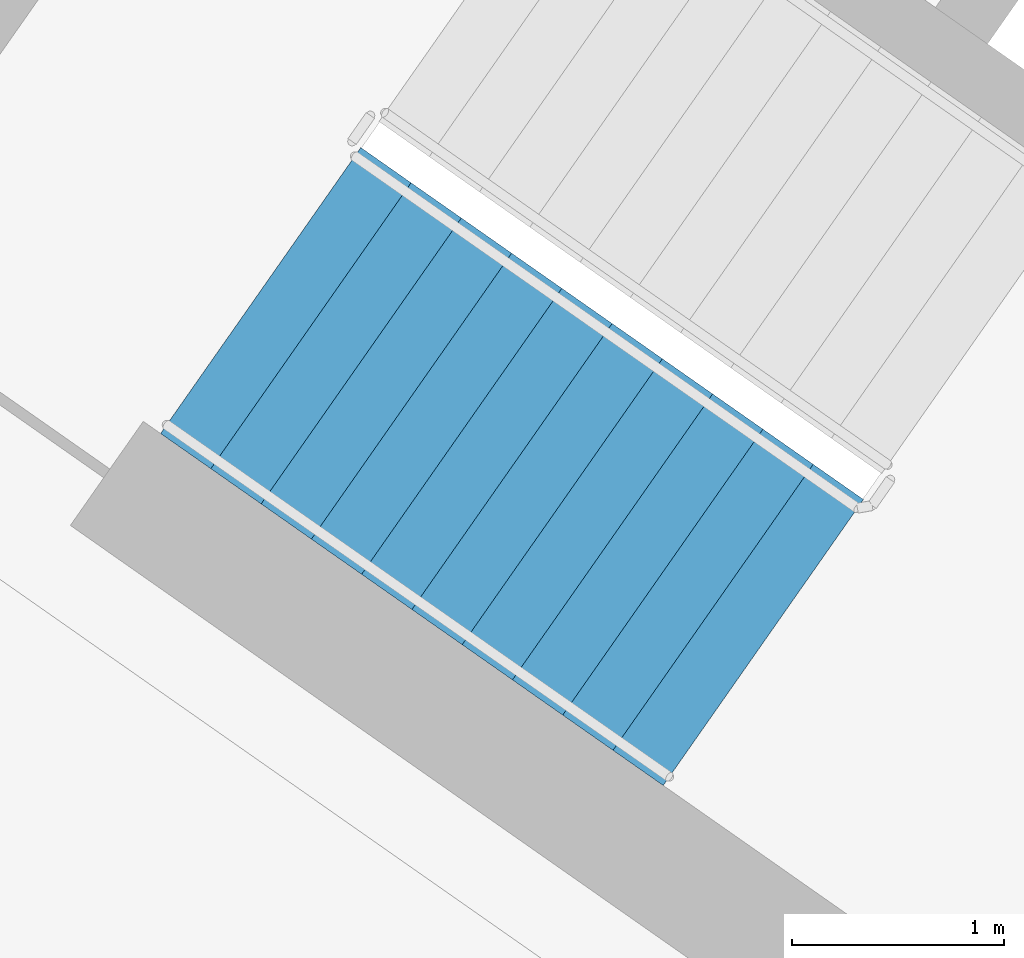
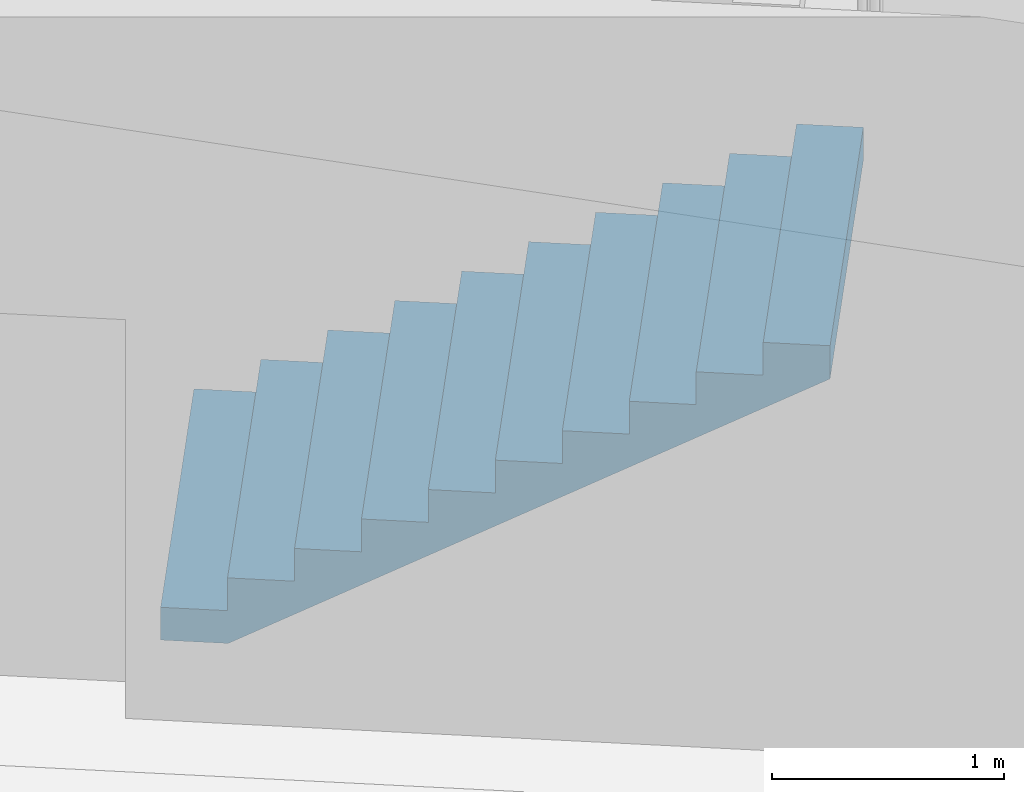
# One storey, part 9 of 27: 1 stair flight, 1 element without a shape of its own.
"""IFC4 building model written with IfcOpenShell, lengths in metres."""

import ifcopenshell
import ifcopenshell.guid

model = None  # the IFC model being written
_history = None  # IfcOwnerHistory: only IFC2X3 demands one
_inside = {}  # id of a spatial element -> (the spatial element, [elements in it])
_under = {}  # id of a project, library or spatial element -> (it, [spatial elements below it])
_declared = {}  # id of a project -> (the project, [libraries it declares])
_typed = {}  # id of a type object -> (the type object, [elements of that type])
_made_of = {}  # id of a material, layer set ... -> (it, [elements and type objects made of it])


def new_model(schema):
    """Start an empty IFC model of exactly this schema.

    Asked for "IFC4X3", IfcOpenShell would pick the latest addendum, in which some entities
    have other attributes; the version numbers below select the first issue.
    IFC2X3 requires an IfcOwnerHistory on every rooted entity: one is made here for all.
    """
    global model, _history
    if schema == "IFC4X3":
        model = ifcopenshell.file(schema_version=(4, 3, 0, 0))
    else:
        model = ifcopenshell.file(schema=schema)
    _inside.clear()
    _under.clear()
    _declared.clear()
    _typed.clear()
    _made_of.clear()
    _history = None
    if model.schema == "IFC2X3":
        org = make("IfcOrganization", Name="unknown")
        user = make(
            "IfcPersonAndOrganization",
            ThePerson=make("IfcPerson", FamilyName="unknown"),
            TheOrganization=org,
        )
        app = make(
            "IfcApplication",
            ApplicationDeveloper=org,
            Version="unknown",
            ApplicationFullName="unknown",
            ApplicationIdentifier="unknown",
        )
        _history = make(
            "IfcOwnerHistory",
            OwningUser=user,
            OwningApplication=app,
            ChangeAction="ADDED",
            CreationDate=0,
        )
    return model


def make(cls, **values):
    """One entity of the class cls with the attributes given. An attribute that is None is left unset."""
    return model.create_entity(
        cls, **{name: value for name, value in values.items() if value is not None}
    )


def rooted(cls, **values):
    """An entity with a GlobalId (a new one), such as an element, a storey or a relation."""
    return make(cls, GlobalId=ifcopenshell.guid.new(), OwnerHistory=_history, **values)


def si_unit(unit_type, name, prefix=None):
    """IfcSIUnit, for example si_unit("LENGTHUNIT", "METRE", prefix="MILLI")."""
    return make("IfcSIUnit", UnitType=unit_type, Prefix=prefix, Name=name)


def assignment(units):
    """IfcUnitAssignment: the units of a project."""
    return None if units is None else make("IfcUnitAssignment", Units=units)


def point(xyz):
    """IfcCartesianPoint."""
    return None if xyz is None else make("IfcCartesianPoint", Coordinates=xyz)


def direction(xyz):
    """IfcDirection."""
    return None if xyz is None else make("IfcDirection", DirectionRatios=xyz)


def frame(location, z_axis=None, x_axis=None):
    """IfcAxis2Placement3D, a coordinate frame: its origin and axes. An axis left out is left unset."""
    return make(
        "IfcAxis2Placement3D",
        Location=point(location),
        Axis=direction(z_axis),
        RefDirection=direction(x_axis),
    )


def origin():
    """The frame at (0, 0, 0) with its axes left unset."""
    return frame((0.0, 0.0, 0.0))


def place(relative_to, where):
    """IfcLocalPlacement: puts the frame where relative to a parent placement (None: the world)."""
    return make(
        "IfcLocalPlacement", PlacementRelTo=relative_to, RelativePlacement=where
    )


def context(
    kind, dimensions, precision=None, world=None, true_north=None, identifier=None
):
    """IfcGeometricRepresentationContext, for example the 3D "Model" context."""
    return make(
        "IfcGeometricRepresentationContext",
        ContextIdentifier=identifier,
        ContextType=kind,
        CoordinateSpaceDimension=dimensions,
        Precision=precision,
        WorldCoordinateSystem=world,
        TrueNorth=true_north,
    )


def subcontext(parent, identifier, kind, view, scale=None):
    """IfcGeometricRepresentationSubContext, for example "Body" below "Model"."""
    return make(
        "IfcGeometricRepresentationSubContext",
        ContextIdentifier=identifier,
        ContextType=kind,
        ParentContext=parent,
        TargetScale=scale,
        TargetView=view,
    )


def project(units=None, contexts=None):
    """IfcProject with its units and contexts."""
    return rooted(
        "IfcProject",
        Name="project",
        RepresentationContexts=contexts,
        UnitsInContext=assignment(units),
    )


def spatial(cls, under=None, at=None, **own):
    """A site, building, storey or space (cls), placed at a placement, below another one or the project."""
    s = rooted(cls, ObjectPlacement=at, **own)
    if under is not None:
        _under.setdefault(under.id(), (under, []))[1].append(s)
    return s


def faces_of(points, faces, orient=None, outer=None):
    """IfcFace entities. A face is a list of loops; a loop is a list of indices into points, from 0.

    orient and outer hold one flag for each loop. By default every Orientation is true, the
    first loop of a face is its IfcFaceOuterBound and the others are IfcFaceBound.
    """
    made = []
    for i, loops in enumerate(faces):
        bounds = []
        for j, loop in enumerate(loops):
            is_outer = j == 0 if outer is None else outer[i][j]
            bounds.append(
                make(
                    "IfcFaceOuterBound" if is_outer else "IfcFaceBound",
                    Bound=make("IfcPolyLoop", Polygon=[points[k] for k in loop]),
                    Orientation=True if orient is None else orient[i][j],
                )
            )
        made.append(make("IfcFace", Bounds=bounds))
    return made


def faceted_brep(points, faces, orient=None, outer=None, voids=None):
    """IfcFacetedBrep: a solid bounded by flat faces; with voids (closed shells), ...WithVoids."""
    shared = [point(p) for p in points]
    hull = make("IfcClosedShell", CfsFaces=faces_of(shared, faces, orient, outer))
    if voids is None:
        return make("IfcFacetedBrep", Outer=hull)
    return make(
        "IfcFacetedBrepWithVoids",
        Outer=hull,
        Voids=[
            make(cls, CfsFaces=faces_of(shared, fs, o, b)) for cls, fs, o, b in voids
        ],
    )


def shape(context_of_items, identifier, shape_type, items):
    """IfcShapeRepresentation: the items that make up one representation, for example the "Body"."""
    return make(
        "IfcShapeRepresentation",
        ContextOfItems=context_of_items,
        RepresentationIdentifier=identifier,
        RepresentationType=shape_type,
        Items=items,
    )


def material(Name=None, Category=None):
    """IfcMaterial."""
    return make("IfcMaterial", Name=Name, Category=Category)


def made_of(thing, what):
    """Note that an element or type object is made of a material, layer set ...; save() writes the relation."""
    if what is not None:
        _made_of.setdefault(what.id(), (what, []))[1].append(thing)
    return thing


def type_object(cls, material=None, **own):
    """A type object (cls), such as IfcWallType, which elements share."""
    return made_of(rooted(cls, **own), material)


def element(
    cls,
    number,
    at=None,
    inside=None,
    cuts=None,
    type_object=None,
    material=None,
    context=None,
    identifier="Body",
    shape_type=None,
    held_by="IfcProductDefinitionShape",
    body=None,
    shapes=None,
    **own,
):
    """One element of the class cls, such as IfcWall. Its Tag is "e" and its number.

    at: its placement. inside: the storey or other place that contains it. cuts: it is an
    opening in that element (IfcRelVoidsElement). A single representation is given by context,
    identifier, shape_type and body (its items); several are given by shapes. held_by: the class
    of the entity that holds the representations. save() writes the other relations.
    """
    e = rooted(cls, Tag="e%d" % number, ObjectPlacement=at, **own)
    if body is not None:
        shapes = [shape(context, identifier, shape_type, body)]
    if shapes is not None:
        e.Representation = make(held_by, Representations=shapes)
    if inside is not None:
        _inside.setdefault(inside.id(), (inside, []))[1].append(e)
    if cuts is not None:
        rooted(
            "IfcRelVoidsElement", RelatingBuildingElement=cuts, RelatedOpeningElement=e
        )
    if type_object is not None:
        _typed.setdefault(type_object.id(), (type_object, []))[1].append(e)
    return made_of(e, material)


def aggregate(whole, parts):
    """IfcRelAggregates: a whole, such as a stair, and the parts it consists of."""
    return rooted("IfcRelAggregates", RelatingObject=whole, RelatedObjects=parts)


def save(model, path):
    """Write the relations noted so far, then the file.

    IfcRelAggregates (storeys below a building ...), IfcRelContainedInSpatialStructure (elements
    in a storey), IfcRelDefinesByType, IfcRelAssociatesMaterial and IfcRelDeclares: one each for
    every whole, place, type object, material and project.
    """
    for whole, parts in _under.values():
        aggregate(whole, parts)
    for where, things in _inside.values():
        rooted(
            "IfcRelContainedInSpatialStructure",
            RelatedElements=things,
            RelatingStructure=where,
        )
    for kind, things in _typed.values():
        rooted("IfcRelDefinesByType", RelatedObjects=things, RelatingType=kind)
    for what, things in _made_of.values():
        rooted("IfcRelAssociatesMaterial", RelatedObjects=things, RelatingMaterial=what)
    for by, libraries in _declared.values():
        rooted("IfcRelDeclares", RelatingContext=by, RelatedDefinitions=libraries)
    model.write(path)


model = new_model("IFC4")

# Units and contexts
model_context = context("Model", 3, precision=1e-05, world=origin(), true_north=direction((0.0, 1.0)))
body_context = subcontext(model_context, "Body", "Model", "MODEL_VIEW")
ifc_project = project(units=[si_unit("LENGTHUNIT", "METRE"), si_unit("AREAUNIT", "SQUARE_METRE"), si_unit("VOLUMEUNIT", "CUBIC_METRE"), si_unit("PLANEANGLEUNIT", "RADIAN"), si_unit("MASSUNIT", "GRAM", prefix="KILO")], contexts=[model_context])

# Site, building, storey
site_placement = place(None, origin())
site = spatial("IfcSite", under=ifc_project, at=site_placement, CompositionType="ELEMENT")
building_placement = place(site_placement, origin())
building = spatial("IfcBuilding", under=site, at=building_placement, Name="Qamariyya Broadcast Tower", CompositionType="ELEMENT")
storey_placement = place(building_placement, frame((0.0, 0.0, 191.10009765625)))
storey = spatial("IfcBuildingStorey", under=building, at=storey_placement, Name="L45", CompositionType="ELEMENT", Elevation=191.10009765625)

# Stair, stair flight
ifc_material = material(Name="Concrete C50/60", Category="concrete")
stair_type = type_object("IfcStairType", Name="Exit stair 22 risers of 173 mm", PredefinedType="HALF_TURN_STAIR", material=ifc_material)
stair_placement = place(storey_placement, origin())
stair = element("IfcStair", 1, at=stair_placement, inside=storey, type_object=stair_type, Name="L45 Stair W1", PredefinedType="HALF_TURN_STAIR")
stair_flight_type = type_object("IfcStairFlightType", Name="Exit stair flight 11 risers of 173 mm", PredefinedType="STRAIGHT", material=ifc_material)
stair_flight_placement = place(storey_placement, frame((-47.06884765625, -56.982666015625, 0.0), z_axis=(0.0, 0.0, 1.0), x_axis=(0.819152044289, -0.573576436351, 0.0)))
stair_flight = element("IfcStairFlight", 2, at=stair_flight_placement, type_object=stair_flight_type, Name="ST-W1 flight 1", NumberOfRisers=11, NumberOfTreads=10, PredefinedType="STRAIGHT", RiserHeight=0.172727273, TreadLength=0.29, context=body_context, shape_type="Brep", body=[
    faceted_brep([(0.0, 0.824951171875, 0.0), (0.0, 0.824951171875, 0.172607421875), (0.2900390625, 0.824951171875, 0.172607421875), (0.2900390625, 0.824951171875, 0.345458984375), (0.580078125, 0.824951171875, 0.345458984375), (0.580078125, 0.824951171875, 0.51806640625), (0.8701171875, 0.824951171875, 0.51806640625), (0.8701171875, 0.824951171875, 0.69091796875), (1.159912109375, 0.824951171875, 0.69091796875), (1.159912109375, 0.824951171875, 0.863525390625), (1.449951171875, 0.824951171875, 0.863525390625), (1.449951171875, 0.824951171875, 1.036376953125), (1.739990234375, 0.824951171875, 1.036376953125), (1.739990234375, 0.824951171875, 1.208984375), (2.030029296875, 0.824951171875, 1.208984375), (2.030029296875, 0.824951171875, 1.3818359375), (2.320068359375, 0.824951171875, 1.3818359375), (2.320068359375, 0.824951171875, 1.554443359375), (2.610107421875, 0.824951171875, 1.554443359375), (2.610107421875, 0.824951171875, 1.727294921875), (2.89990234375, 0.824951171875, 1.727294921875), (2.89990234375, 0.824951171875, 1.552734375), (0.29296875, 0.824951171875, 0.0), (0.29296875, -0.824951171875, 0.0), (2.89990234375, -0.824951171875, 1.552734375), (2.89990234375, -0.824951171875, 1.727294921875), (2.610107421875, -0.824951171875, 1.727294921875), (2.610107421875, -0.824951171875, 1.554443359375), (2.320068359375, -0.824951171875, 1.554443359375), (2.320068359375, -0.824951171875, 1.3818359375), (2.030029296875, -0.824951171875, 1.3818359375), (2.030029296875, -0.824951171875, 1.208984375), (1.739990234375, -0.824951171875, 1.208984375), (1.739990234375, -0.824951171875, 1.036376953125), (1.449951171875, -0.824951171875, 1.036376953125), (1.449951171875, -0.824951171875, 0.863525390625), (1.159912109375, -0.824951171875, 0.863525390625), (1.159912109375, -0.824951171875, 0.69091796875), (0.8701171875, -0.824951171875, 0.69091796875), (0.8701171875, -0.824951171875, 0.51806640625), (0.580078125, -0.824951171875, 0.51806640625), (0.580078125, -0.824951171875, 0.345458984375), (0.2900390625, -0.824951171875, 0.345458984375), (0.2900390625, -0.824951171875, 0.172607421875), (0.0, -0.824951171875, 0.172607421875), (0.0, -0.824951171875, 0.0), (0.0, 0.10009765625, 0.0), (0.0, 0.086669921875, 0.0), (0.0, 0.0732421875, 0.0), (0.0, 0.06005859375, 0.0), (0.0, 0.046630859375, 0.0), (0.0, 0.033447265625, 0.0), (0.0, 0.02001953125, 0.0), (0.0, 0.006591796875, 0.0), (0.0, -0.006591796875, 0.0), (0.0, -0.02001953125, 0.0), (0.0, -0.033447265625, 0.0), (0.0, -0.046630859375, 0.0), (0.0, -0.06005859375, 0.0), (0.0, -0.0732421875, 0.0), (0.0, -0.086669921875, 0.0), (0.0, -0.10009765625, 0.0), (0.0, -0.10009765625, 0.172607421875), (0.0, -0.086669921875, 0.172607421875), (0.0, -0.0732421875, 0.172607421875), (0.0, -0.06005859375, 0.172607421875), (0.0, -0.046630859375, 0.172607421875), (0.0, -0.033447265625, 0.172607421875), (0.0, -0.02001953125, 0.172607421875), (0.0, -0.006591796875, 0.172607421875), (0.0, 0.006591796875, 0.172607421875), (0.0, 0.02001953125, 0.172607421875), (0.0, 0.033447265625, 0.172607421875), (0.0, 0.046630859375, 0.172607421875), (0.0, 0.06005859375, 0.172607421875), (0.0, 0.0732421875, 0.172607421875), (0.0, 0.086669921875, 0.172607421875), (0.0, 0.10009765625, 0.172607421875), (0.2900390625, -0.10009765625, 0.172607421875), (0.2900390625, -0.086669921875, 0.172607421875), (0.2900390625, -0.0732421875, 0.172607421875), (0.2900390625, -0.06005859375, 0.172607421875), (0.2900390625, -0.046630859375, 0.172607421875), (0.2900390625, -0.033447265625, 0.172607421875), (0.2900390625, -0.02001953125, 0.172607421875), (0.2900390625, -0.006591796875, 0.172607421875), (0.2900390625, 0.006591796875, 0.172607421875), (0.2900390625, 0.02001953125, 0.172607421875), (0.2900390625, 0.033447265625, 0.172607421875), (0.2900390625, 0.046630859375, 0.172607421875), (0.2900390625, 0.06005859375, 0.172607421875), (0.2900390625, 0.0732421875, 0.172607421875), (0.2900390625, 0.086669921875, 0.172607421875), (0.2900390625, 0.10009765625, 0.172607421875), (0.2900390625, -0.10009765625, 0.345458984375), (0.2900390625, -0.086669921875, 0.345458984375), (0.2900390625, -0.0732421875, 0.345458984375), (0.2900390625, -0.06005859375, 0.345458984375), (0.2900390625, -0.046630859375, 0.345458984375), (0.2900390625, -0.033447265625, 0.345458984375), (0.2900390625, -0.02001953125, 0.345458984375), (0.2900390625, -0.006591796875, 0.345458984375), (0.2900390625, 0.006591796875, 0.345458984375), (0.2900390625, 0.02001953125, 0.345458984375), (0.2900390625, 0.033447265625, 0.345458984375), (0.2900390625, 0.046630859375, 0.345458984375), (0.2900390625, 0.06005859375, 0.345458984375), (0.2900390625, 0.0732421875, 0.345458984375), (0.2900390625, 0.086669921875, 0.345458984375), (0.2900390625, 0.10009765625, 0.345458984375), (0.580078125, -0.10009765625, 0.345458984375), (0.580078125, -0.086669921875, 0.345458984375), (0.580078125, -0.0732421875, 0.345458984375), (0.580078125, -0.06005859375, 0.345458984375), (0.580078125, -0.046630859375, 0.345458984375), (0.580078125, -0.033447265625, 0.345458984375), (0.580078125, -0.02001953125, 0.345458984375), (0.580078125, -0.006591796875, 0.345458984375), (0.580078125, 0.006591796875, 0.345458984375), (0.580078125, 0.02001953125, 0.345458984375), (0.580078125, 0.033447265625, 0.345458984375), (0.580078125, 0.046630859375, 0.345458984375), (0.580078125, 0.06005859375, 0.345458984375), (0.580078125, 0.0732421875, 0.345458984375), (0.580078125, 0.086669921875, 0.345458984375), (0.580078125, 0.10009765625, 0.345458984375), (0.580078125, -0.10009765625, 0.51806640625), (0.580078125, -0.086669921875, 0.51806640625), (0.580078125, -0.0732421875, 0.51806640625), (0.580078125, -0.06005859375, 0.51806640625), (0.580078125, -0.046630859375, 0.51806640625), (0.580078125, -0.033447265625, 0.51806640625), (0.580078125, -0.02001953125, 0.51806640625), (0.580078125, -0.006591796875, 0.51806640625), (0.580078125, 0.006591796875, 0.51806640625), (0.580078125, 0.02001953125, 0.51806640625), (0.580078125, 0.033447265625, 0.51806640625), (0.580078125, 0.046630859375, 0.51806640625), (0.580078125, 0.06005859375, 0.51806640625), (0.580078125, 0.0732421875, 0.51806640625), (0.580078125, 0.086669921875, 0.51806640625), (0.580078125, 0.10009765625, 0.51806640625), (0.8701171875, -0.10009765625, 0.51806640625), (0.8701171875, -0.086669921875, 0.51806640625), (0.8701171875, -0.0732421875, 0.51806640625), (0.8701171875, -0.06005859375, 0.51806640625), (0.8701171875, -0.046630859375, 0.51806640625), (0.8701171875, -0.033447265625, 0.51806640625), (0.8701171875, -0.02001953125, 0.51806640625), (0.8701171875, -0.006591796875, 0.51806640625), (0.8701171875, 0.006591796875, 0.51806640625), (0.8701171875, 0.02001953125, 0.51806640625), (0.8701171875, 0.033447265625, 0.51806640625), (0.8701171875, 0.046630859375, 0.51806640625), (0.8701171875, 0.06005859375, 0.51806640625), (0.8701171875, 0.0732421875, 0.51806640625), (0.8701171875, 0.086669921875, 0.51806640625), (0.8701171875, 0.10009765625, 0.51806640625), (0.8701171875, -0.10009765625, 0.69091796875), (0.8701171875, -0.086669921875, 0.69091796875), (0.8701171875, -0.0732421875, 0.69091796875), (0.8701171875, -0.06005859375, 0.69091796875), (0.8701171875, -0.046630859375, 0.69091796875), (0.8701171875, -0.033447265625, 0.69091796875), (0.8701171875, -0.02001953125, 0.69091796875), (0.8701171875, -0.006591796875, 0.69091796875), (0.8701171875, 0.006591796875, 0.69091796875), (0.8701171875, 0.02001953125, 0.69091796875), (0.8701171875, 0.033447265625, 0.69091796875), (0.8701171875, 0.046630859375, 0.69091796875), (0.8701171875, 0.06005859375, 0.69091796875), (0.8701171875, 0.0732421875, 0.69091796875), (0.8701171875, 0.086669921875, 0.69091796875), (0.8701171875, 0.10009765625, 0.69091796875), (1.159912109375, -0.10009765625, 0.69091796875), (1.159912109375, -0.086669921875, 0.69091796875), (1.159912109375, -0.0732421875, 0.69091796875), (1.159912109375, -0.06005859375, 0.69091796875), (1.159912109375, -0.046630859375, 0.69091796875), (1.159912109375, -0.033447265625, 0.69091796875), (1.159912109375, -0.02001953125, 0.69091796875), (1.159912109375, -0.006591796875, 0.69091796875), (1.159912109375, 0.006591796875, 0.69091796875), (1.159912109375, 0.02001953125, 0.69091796875), (1.159912109375, 0.033447265625, 0.69091796875), (1.159912109375, 0.046630859375, 0.69091796875), (1.159912109375, 0.06005859375, 0.69091796875), (1.159912109375, 0.0732421875, 0.69091796875), (1.159912109375, 0.086669921875, 0.69091796875), (1.159912109375, 0.10009765625, 0.69091796875), (1.159912109375, -0.10009765625, 0.863525390625), (1.159912109375, -0.086669921875, 0.863525390625), (1.159912109375, -0.0732421875, 0.863525390625), (1.159912109375, -0.06005859375, 0.863525390625), (1.159912109375, -0.046630859375, 0.863525390625), (1.159912109375, -0.033447265625, 0.863525390625), (1.159912109375, -0.02001953125, 0.863525390625), (1.159912109375, -0.006591796875, 0.863525390625), (1.159912109375, 0.006591796875, 0.863525390625), (1.159912109375, 0.02001953125, 0.863525390625), (1.159912109375, 0.033447265625, 0.863525390625), (1.159912109375, 0.046630859375, 0.863525390625), (1.159912109375, 0.06005859375, 0.863525390625), (1.159912109375, 0.0732421875, 0.863525390625), (1.159912109375, 0.086669921875, 0.863525390625), (1.159912109375, 0.10009765625, 0.863525390625), (1.449951171875, -0.10009765625, 0.863525390625), (1.449951171875, -0.086669921875, 0.863525390625), (1.449951171875, -0.0732421875, 0.863525390625), (1.449951171875, -0.06005859375, 0.863525390625), (1.449951171875, -0.046630859375, 0.863525390625), (1.449951171875, -0.033447265625, 0.863525390625), (1.449951171875, -0.02001953125, 0.863525390625), (1.449951171875, -0.006591796875, 0.863525390625), (1.449951171875, 0.006591796875, 0.863525390625), (1.449951171875, 0.02001953125, 0.863525390625), (1.449951171875, 0.033447265625, 0.863525390625), (1.449951171875, 0.046630859375, 0.863525390625), (1.449951171875, 0.06005859375, 0.863525390625), (1.449951171875, 0.0732421875, 0.863525390625), (1.449951171875, 0.086669921875, 0.863525390625), (1.449951171875, 0.10009765625, 0.863525390625), (1.449951171875, -0.10009765625, 1.036376953125), (1.449951171875, -0.086669921875, 1.036376953125), (1.449951171875, -0.0732421875, 1.036376953125), (1.449951171875, -0.06005859375, 1.036376953125), (1.449951171875, -0.046630859375, 1.036376953125), (1.449951171875, -0.033447265625, 1.036376953125), (1.449951171875, -0.02001953125, 1.036376953125), (1.449951171875, -0.006591796875, 1.036376953125), (1.449951171875, 0.006591796875, 1.036376953125), (1.449951171875, 0.02001953125, 1.036376953125), (1.449951171875, 0.033447265625, 1.036376953125), (1.449951171875, 0.046630859375, 1.036376953125), (1.449951171875, 0.06005859375, 1.036376953125), (1.449951171875, 0.0732421875, 1.036376953125), (1.449951171875, 0.086669921875, 1.036376953125), (1.449951171875, 0.10009765625, 1.036376953125), (1.739990234375, -0.10009765625, 1.036376953125), (1.739990234375, -0.086669921875, 1.036376953125), (1.739990234375, -0.0732421875, 1.036376953125), (1.739990234375, -0.06005859375, 1.036376953125), (1.739990234375, -0.046630859375, 1.036376953125), (1.739990234375, -0.033447265625, 1.036376953125), (1.739990234375, -0.02001953125, 1.036376953125), (1.739990234375, -0.006591796875, 1.036376953125), (1.739990234375, 0.006591796875, 1.036376953125), (1.739990234375, 0.02001953125, 1.036376953125), (1.739990234375, 0.033447265625, 1.036376953125), (1.739990234375, 0.046630859375, 1.036376953125), (1.739990234375, 0.06005859375, 1.036376953125), (1.739990234375, 0.0732421875, 1.036376953125), (1.739990234375, 0.086669921875, 1.036376953125), (1.739990234375, 0.10009765625, 1.036376953125), (1.739990234375, -0.10009765625, 1.208984375), (1.739990234375, -0.086669921875, 1.208984375), (1.739990234375, -0.0732421875, 1.208984375), (1.739990234375, -0.06005859375, 1.208984375), (1.739990234375, -0.046630859375, 1.208984375), (1.739990234375, -0.033447265625, 1.208984375), (1.739990234375, -0.02001953125, 1.208984375), (1.739990234375, -0.006591796875, 1.208984375), (1.739990234375, 0.006591796875, 1.208984375), (1.739990234375, 0.02001953125, 1.208984375), (1.739990234375, 0.033447265625, 1.208984375), (1.739990234375, 0.046630859375, 1.208984375), (1.739990234375, 0.06005859375, 1.208984375), (1.739990234375, 0.0732421875, 1.208984375), (1.739990234375, 0.086669921875, 1.208984375), (1.739990234375, 0.10009765625, 1.208984375), (2.030029296875, -0.10009765625, 1.208984375), (2.030029296875, -0.086669921875, 1.208984375), (2.030029296875, -0.0732421875, 1.208984375), (2.030029296875, -0.06005859375, 1.208984375), (2.030029296875, -0.046630859375, 1.208984375), (2.030029296875, -0.033447265625, 1.208984375), (2.030029296875, -0.02001953125, 1.208984375), (2.030029296875, -0.006591796875, 1.208984375), (2.030029296875, 0.006591796875, 1.208984375), (2.030029296875, 0.02001953125, 1.208984375), (2.030029296875, 0.033447265625, 1.208984375), (2.030029296875, 0.046630859375, 1.208984375), (2.030029296875, 0.06005859375, 1.208984375), (2.030029296875, 0.0732421875, 1.208984375), (2.030029296875, 0.086669921875, 1.208984375), (2.030029296875, 0.10009765625, 1.208984375), (2.030029296875, -0.10009765625, 1.3818359375), (2.030029296875, -0.086669921875, 1.3818359375), (2.030029296875, -0.0732421875, 1.3818359375), (2.030029296875, -0.06005859375, 1.3818359375), (2.030029296875, -0.046630859375, 1.3818359375), (2.030029296875, -0.033447265625, 1.3818359375), (2.030029296875, -0.02001953125, 1.3818359375), (2.030029296875, -0.006591796875, 1.3818359375), (2.030029296875, 0.006591796875, 1.3818359375), (2.030029296875, 0.02001953125, 1.3818359375), (2.030029296875, 0.033447265625, 1.3818359375), (2.030029296875, 0.046630859375, 1.3818359375), (2.030029296875, 0.06005859375, 1.3818359375), (2.030029296875, 0.0732421875, 1.3818359375), (2.030029296875, 0.086669921875, 1.3818359375), (2.030029296875, 0.10009765625, 1.3818359375), (2.320068359375, -0.10009765625, 1.3818359375), (2.320068359375, -0.086669921875, 1.3818359375), (2.320068359375, -0.0732421875, 1.3818359375), (2.320068359375, -0.06005859375, 1.3818359375), (2.320068359375, -0.046630859375, 1.3818359375), (2.320068359375, -0.033447265625, 1.3818359375), (2.320068359375, -0.02001953125, 1.3818359375), (2.320068359375, -0.006591796875, 1.3818359375), (2.320068359375, 0.006591796875, 1.3818359375), (2.320068359375, 0.02001953125, 1.3818359375), (2.320068359375, 0.033447265625, 1.3818359375), (2.320068359375, 0.046630859375, 1.3818359375), (2.320068359375, 0.06005859375, 1.3818359375), (2.320068359375, 0.0732421875, 1.3818359375), (2.320068359375, 0.086669921875, 1.3818359375), (2.320068359375, 0.10009765625, 1.3818359375), (2.320068359375, -0.10009765625, 1.554443359375), (2.320068359375, -0.086669921875, 1.554443359375), (2.320068359375, -0.0732421875, 1.554443359375), (2.320068359375, -0.06005859375, 1.554443359375), (2.320068359375, -0.046630859375, 1.554443359375), (2.320068359375, -0.033447265625, 1.554443359375), (2.320068359375, -0.02001953125, 1.554443359375), (2.320068359375, -0.006591796875, 1.554443359375), (2.320068359375, 0.006591796875, 1.554443359375), (2.320068359375, 0.02001953125, 1.554443359375), (2.320068359375, 0.033447265625, 1.554443359375), (2.320068359375, 0.046630859375, 1.554443359375), (2.320068359375, 0.06005859375, 1.554443359375), (2.320068359375, 0.0732421875, 1.554443359375), (2.320068359375, 0.086669921875, 1.554443359375), (2.320068359375, 0.10009765625, 1.554443359375), (2.610107421875, -0.10009765625, 1.554443359375), (2.610107421875, -0.086669921875, 1.554443359375), (2.610107421875, -0.0732421875, 1.554443359375), (2.610107421875, -0.06005859375, 1.554443359375), (2.610107421875, -0.046630859375, 1.554443359375), (2.610107421875, -0.033447265625, 1.554443359375), (2.610107421875, -0.02001953125, 1.554443359375), (2.610107421875, -0.006591796875, 1.554443359375), (2.610107421875, 0.006591796875, 1.554443359375), (2.610107421875, 0.02001953125, 1.554443359375), (2.610107421875, 0.033447265625, 1.554443359375), (2.610107421875, 0.046630859375, 1.554443359375), (2.610107421875, 0.06005859375, 1.554443359375), (2.610107421875, 0.0732421875, 1.554443359375), (2.610107421875, 0.086669921875, 1.554443359375), (2.610107421875, 0.10009765625, 1.554443359375), (2.610107421875, -0.10009765625, 1.727294921875), (2.610107421875, -0.086669921875, 1.727294921875), (2.610107421875, -0.0732421875, 1.727294921875), (2.610107421875, -0.06005859375, 1.727294921875), (2.610107421875, -0.046630859375, 1.727294921875), (2.610107421875, -0.033447265625, 1.727294921875), (2.610107421875, -0.02001953125, 1.727294921875), (2.610107421875, -0.006591796875, 1.727294921875), (2.610107421875, 0.006591796875, 1.727294921875), (2.610107421875, 0.02001953125, 1.727294921875), (2.610107421875, 0.033447265625, 1.727294921875), (2.610107421875, 0.046630859375, 1.727294921875), (2.610107421875, 0.06005859375, 1.727294921875), (2.610107421875, 0.0732421875, 1.727294921875), (2.610107421875, 0.086669921875, 1.727294921875), (2.610107421875, 0.10009765625, 1.727294921875), (2.89990234375, -0.10009765625, 1.727294921875), (2.89990234375, -0.086669921875, 1.727294921875), (2.89990234375, -0.0732421875, 1.727294921875), (2.89990234375, -0.06005859375, 1.727294921875), (2.89990234375, -0.046630859375, 1.727294921875), (2.89990234375, -0.033447265625, 1.727294921875), (2.89990234375, -0.02001953125, 1.727294921875), (2.89990234375, -0.006591796875, 1.727294921875), (2.89990234375, 0.006591796875, 1.727294921875), (2.89990234375, 0.02001953125, 1.727294921875), (2.89990234375, 0.033447265625, 1.727294921875), (2.89990234375, 0.046630859375, 1.727294921875), (2.89990234375, 0.06005859375, 1.727294921875), (2.89990234375, 0.0732421875, 1.727294921875), (2.89990234375, 0.086669921875, 1.727294921875), (2.89990234375, 0.10009765625, 1.727294921875), (2.89990234375, -0.10009765625, 1.552734375), (2.89990234375, -0.086669921875, 1.552734375), (2.89990234375, -0.0732421875, 1.552734375), (2.89990234375, -0.06005859375, 1.552734375), (2.89990234375, -0.046630859375, 1.552734375), (2.89990234375, -0.033447265625, 1.552734375), (2.89990234375, -0.02001953125, 1.552734375), (2.89990234375, -0.006591796875, 1.552734375), (2.89990234375, 0.006591796875, 1.552734375), (2.89990234375, 0.02001953125, 1.552734375), (2.89990234375, 0.033447265625, 1.552734375), (2.89990234375, 0.046630859375, 1.552734375), (2.89990234375, 0.06005859375, 1.552734375), (2.89990234375, 0.0732421875, 1.552734375), (2.89990234375, 0.086669921875, 1.552734375), (2.89990234375, 0.10009765625, 1.552734375), (0.29296875, -0.10009765625, 0.0), (0.29296875, -0.086669921875, 0.0), (0.29296875, -0.0732421875, 0.0), (0.29296875, -0.06005859375, 0.0), (0.29296875, -0.046630859375, 0.0), (0.29296875, -0.033447265625, 0.0), (0.29296875, -0.02001953125, 0.0), (0.29296875, -0.006591796875, 0.0), (0.29296875, 0.006591796875, 0.0), (0.29296875, 0.02001953125, 0.0), (0.29296875, 0.033447265625, 0.0), (0.29296875, 0.046630859375, 0.0), (0.29296875, 0.06005859375, 0.0), (0.29296875, 0.0732421875, 0.0), (0.29296875, 0.086669921875, 0.0), (0.29296875, 0.10009765625, 0.0)], [[[0, 1, 2, 3, 4, 5, 6, 7, 8, 9, 10, 11, 12, 13, 14, 15, 16, 17, 18, 19, 20, 21, 22]], [[23, 24, 25, 26, 27, 28, 29, 30, 31, 32, 33, 34, 35, 36, 37, 38, 39, 40, 41, 42, 43, 44, 45]], [[0, 46, 47, 48, 49, 50, 51, 52, 53, 54, 55, 56, 57, 58, 59, 60, 61, 45, 44, 62, 63, 64, 65, 66, 67, 68, 69, 70, 71, 72, 73, 74, 75, 76, 77, 1]], [[1, 77, 76, 75, 74, 73, 72, 71, 70, 69, 68, 67, 66, 65, 64, 63, 62, 44, 43, 78, 79, 80, 81, 82, 83, 84, 85, 86, 87, 88, 89, 90, 91, 92, 93, 2]], [[2, 93, 92, 91, 90, 89, 88, 87, 86, 85, 84, 83, 82, 81, 80, 79, 78, 43, 42, 94, 95, 96, 97, 98, 99, 100, 101, 102, 103, 104, 105, 106, 107, 108, 109, 3]], [[3, 109, 108, 107, 106, 105, 104, 103, 102, 101, 100, 99, 98, 97, 96, 95, 94, 42, 41, 110, 111, 112, 113, 114, 115, 116, 117, 118, 119, 120, 121, 122, 123, 124, 125, 4]], [[4, 125, 124, 123, 122, 121, 120, 119, 118, 117, 116, 115, 114, 113, 112, 111, 110, 41, 40, 126, 127, 128, 129, 130, 131, 132, 133, 134, 135, 136, 137, 138, 139, 140, 141, 5]], [[5, 141, 140, 139, 138, 137, 136, 135, 134, 133, 132, 131, 130, 129, 128, 127, 126, 40, 39, 142, 143, 144, 145, 146, 147, 148, 149, 150, 151, 152, 153, 154, 155, 156, 157, 6]], [[6, 157, 156, 155, 154, 153, 152, 151, 150, 149, 148, 147, 146, 145, 144, 143, 142, 39, 38, 158, 159, 160, 161, 162, 163, 164, 165, 166, 167, 168, 169, 170, 171, 172, 173, 7]], [[7, 173, 172, 171, 170, 169, 168, 167, 166, 165, 164, 163, 162, 161, 160, 159, 158, 38, 37, 174, 175, 176, 177, 178, 179, 180, 181, 182, 183, 184, 185, 186, 187, 188, 189, 8]], [[8, 189, 188, 187, 186, 185, 184, 183, 182, 181, 180, 179, 178, 177, 176, 175, 174, 37, 36, 190, 191, 192, 193, 194, 195, 196, 197, 198, 199, 200, 201, 202, 203, 204, 205, 9]], [[9, 205, 204, 203, 202, 201, 200, 199, 198, 197, 196, 195, 194, 193, 192, 191, 190, 36, 35, 206, 207, 208, 209, 210, 211, 212, 213, 214, 215, 216, 217, 218, 219, 220, 221, 10]], [[10, 221, 220, 219, 218, 217, 216, 215, 214, 213, 212, 211, 210, 209, 208, 207, 206, 35, 34, 222, 223, 224, 225, 226, 227, 228, 229, 230, 231, 232, 233, 234, 235, 236, 237, 11]], [[11, 237, 236, 235, 234, 233, 232, 231, 230, 229, 228, 227, 226, 225, 224, 223, 222, 34, 33, 238, 239, 240, 241, 242, 243, 244, 245, 246, 247, 248, 249, 250, 251, 252, 253, 12]], [[12, 253, 252, 251, 250, 249, 248, 247, 246, 245, 244, 243, 242, 241, 240, 239, 238, 33, 32, 254, 255, 256, 257, 258, 259, 260, 261, 262, 263, 264, 265, 266, 267, 268, 269, 13]], [[13, 269, 268, 267, 266, 265, 264, 263, 262, 261, 260, 259, 258, 257, 256, 255, 254, 32, 31, 270, 271, 272, 273, 274, 275, 276, 277, 278, 279, 280, 281, 282, 283, 284, 285, 14]], [[14, 285, 284, 283, 282, 281, 280, 279, 278, 277, 276, 275, 274, 273, 272, 271, 270, 31, 30, 286, 287, 288, 289, 290, 291, 292, 293, 294, 295, 296, 297, 298, 299, 300, 301, 15]], [[15, 301, 300, 299, 298, 297, 296, 295, 294, 293, 292, 291, 290, 289, 288, 287, 286, 30, 29, 302, 303, 304, 305, 306, 307, 308, 309, 310, 311, 312, 313, 314, 315, 316, 317, 16]], [[16, 317, 316, 315, 314, 313, 312, 311, 310, 309, 308, 307, 306, 305, 304, 303, 302, 29, 28, 318, 319, 320, 321, 322, 323, 324, 325, 326, 327, 328, 329, 330, 331, 332, 333, 17]], [[17, 333, 332, 331, 330, 329, 328, 327, 326, 325, 324, 323, 322, 321, 320, 319, 318, 28, 27, 334, 335, 336, 337, 338, 339, 340, 341, 342, 343, 344, 345, 346, 347, 348, 349, 18]], [[18, 349, 348, 347, 346, 345, 344, 343, 342, 341, 340, 339, 338, 337, 336, 335, 334, 27, 26, 350, 351, 352, 353, 354, 355, 356, 357, 358, 359, 360, 361, 362, 363, 364, 365, 19]], [[19, 365, 364, 363, 362, 361, 360, 359, 358, 357, 356, 355, 354, 353, 352, 351, 350, 26, 25, 366, 367, 368, 369, 370, 371, 372, 373, 374, 375, 376, 377, 378, 379, 380, 381, 20]], [[20, 381, 380, 379, 378, 377, 376, 375, 374, 373, 372, 371, 370, 369, 368, 367, 366, 25, 24, 382, 383, 384, 385, 386, 387, 388, 389, 390, 391, 392, 393, 394, 395, 396, 397, 21]], [[21, 397, 396, 395, 394, 393, 392, 391, 390, 389, 388, 387, 386, 385, 384, 383, 382, 24, 23, 398, 399, 400, 401, 402, 403, 404, 405, 406, 407, 408, 409, 410, 411, 412, 413, 22]], [[22, 413, 412, 411, 410, 409, 408, 407, 406, 405, 404, 403, 402, 401, 400, 399, 398, 23, 45, 61, 60, 59, 58, 57, 56, 55, 54, 53, 52, 51, 50, 49, 48, 47, 46, 0]]]),
])
aggregate(stair, [stair_flight])

save(model, "model.ifc")
